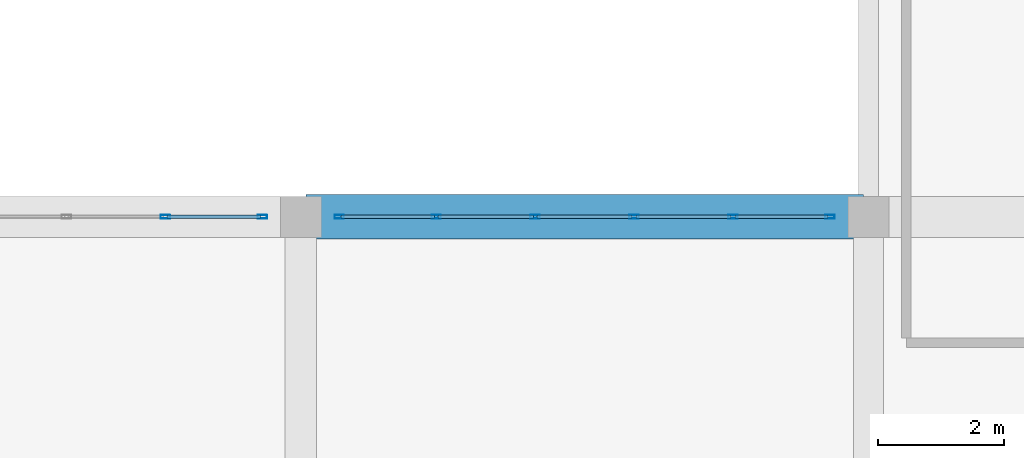
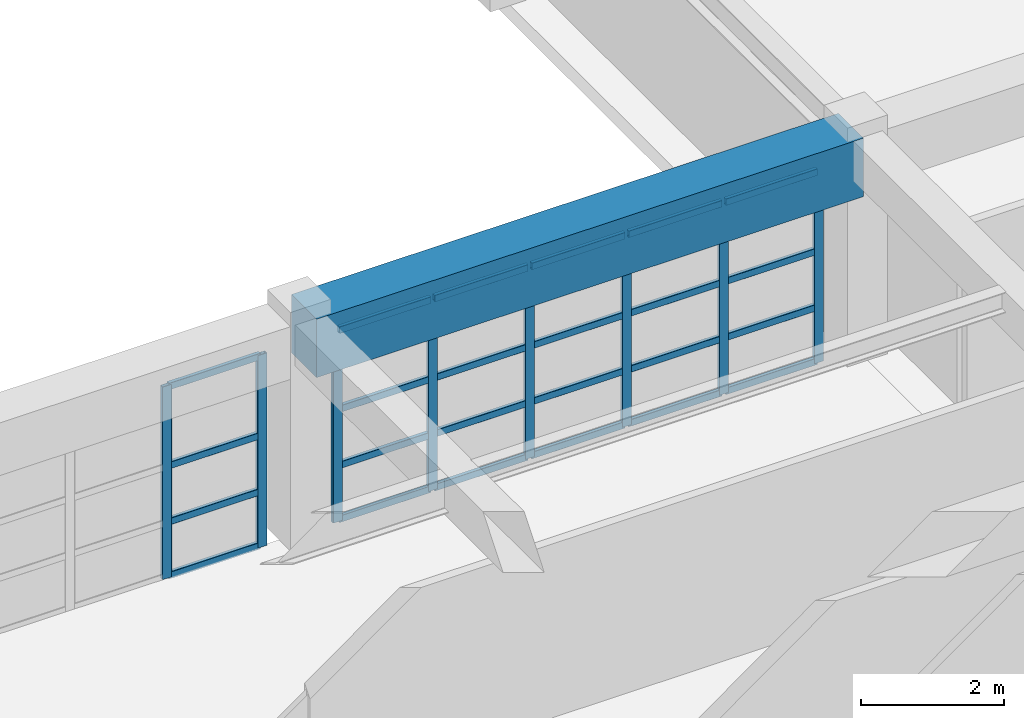
# One storey, part 84 of 130: 32 members, 1 beam, 2 elements without a shape of their own.
"""IFC4 building model written with IfcOpenShell, lengths in metres."""

from ifc_helpers import new_model, si_unit, direction, frame, origin, origin_2d, place, context, subcontext, project, spatial, rectangle, hollow_rectangle, extrude, material, material_profile, profile_set, type_object, element, aggregate, save


model = new_model("IFC4")

# Units and contexts
model_context = context("Model", 3, precision=1e-05, world=origin(), true_north=direction((0.0, 1.0)))
body_context = subcontext(model_context, "Body", "Model", "MODEL_VIEW")
ifc_project = project(units=[si_unit("LENGTHUNIT", "METRE"), si_unit("AREAUNIT", "SQUARE_METRE"), si_unit("VOLUMEUNIT", "CUBIC_METRE"), si_unit("PLANEANGLEUNIT", "RADIAN"), si_unit("MASSUNIT", "GRAM", prefix="KILO")], contexts=[model_context])

# Site, building, storey
site_placement = place(None, origin())
site = spatial("IfcSite", under=ifc_project, at=site_placement, CompositionType="ELEMENT")
building_placement = place(site_placement, origin())
building = spatial("IfcBuilding", under=site, at=building_placement, Name="Miravela Opera House", CompositionType="ELEMENT")
storey_placement = place(building_placement, frame((0.0, 0.0, 9.52001953125)))
storey = spatial("IfcBuildingStorey", under=building, at=storey_placement, Name="L02", CompositionType="ELEMENT", Elevation=9.52001953125)

# Curtain wall, members
ifc_material_1 = material(Name="Anodised architectural bronze aluminium 6063-T6", Category="aluminium")
curtain_wall_type = type_object("IfcCurtainWallType", Name="ARC-CW-05", PredefinedType="NOTDEFINED", material=ifc_material_1)
curtain_wall_1_placement = place(storey_placement, origin())
curtain_wall_1 = element("IfcCurtainWall", 1, at=curtain_wall_1_placement, inside=storey, type_object=curtain_wall_type, Name="Courtyard Arcade Curtain Wall CW-L02-184", PredefinedType="NOTDEFINED")
ifc_material_profile_1 = material_profile(ifc_material_1, hollow_rectangle(XDim=0.06005859375, YDim=0.14990234375, WallThickness=0.00390625, InnerFilletRadius=0.001953125, OuterFilletRadius=0.00390625, at=origin_2d()), Name="CWM-60X150")
ifc_profile_set_1 = profile_set([ifc_material_profile_1])
member_type_1 = type_object("IfcMemberType", Name="ARC-CWM-150", PredefinedType="MULLION", material=ifc_profile_set_1)
member_1_placement = place(storey_placement, frame((132.85205078125, 84.0, 0.0), z_axis=(0.0, 0.0, 1.0), x_axis=(0.0, 1.0, 0.0)))
member_1 = element("IfcMember", 2, at=member_1_placement, type_object=member_type_1, Name="CW-05 mullion 5", PredefinedType="MULLION", context=body_context, shape_type="SweptSolid", body=[
    extrude(hollow_rectangle(XDim=0.06005859375, YDim=0.14990234375, WallThickness=0.00390625, InnerFilletRadius=0.001953125, OuterFilletRadius=0.00390625, at=origin_2d()), origin(), (0.0, 0.0, 1.0), 3.2900390625),
])
member_2_placement = place(storey_placement, frame((134.389892578125, 84.0, 0.0), z_axis=(0.0, 0.0, 1.0), x_axis=(0.0, 1.0, 0.0)))
member_2 = element("IfcMember", 3, at=member_2_placement, type_object=member_type_1, Name="CW-05 mullion 6", PredefinedType="MULLION", context=body_context, shape_type="SweptSolid", body=[
    extrude(hollow_rectangle(XDim=0.06005859375, YDim=0.14990234375, WallThickness=0.00390625, InnerFilletRadius=0.001953125, OuterFilletRadius=0.00390625, at=origin_2d()), origin(), (0.0, 0.0, 1.0), 3.2900390625),
])

curtain_wall_2_placement = place(storey_placement, origin())
curtain_wall_2 = element("IfcCurtainWall", 4, at=curtain_wall_2_placement, inside=storey, type_object=curtain_wall_type, Name="Courtyard Arcade Curtain Wall CW-L02-188", PredefinedType="NOTDEFINED")
member_3_placement = place(storey_placement, frame((135.610107421875, 84.0, 0.0), z_axis=(0.0, 0.0, 1.0), x_axis=(0.0, 1.0, 0.0)))
member_3 = element("IfcMember", 5, at=member_3_placement, type_object=member_type_1, Name="CW-05 mullion 1", PredefinedType="MULLION", context=body_context, shape_type="SweptSolid", body=[
    extrude(hollow_rectangle(XDim=0.06005859375, YDim=0.14990234375, WallThickness=0.00390625, InnerFilletRadius=0.001953125, OuterFilletRadius=0.00390625, at=origin_2d()), origin(), (0.0, 0.0, 1.0), 3.2900390625),
])
member_4_placement = place(storey_placement, frame((137.14794921875, 84.0, 0.0), z_axis=(0.0, 0.0, 1.0), x_axis=(0.0, 1.0, 0.0)))
member_4 = element("IfcMember", 6, at=member_4_placement, type_object=member_type_1, Name="CW-05 mullion 2", PredefinedType="MULLION", context=body_context, shape_type="SweptSolid", body=[
    extrude(hollow_rectangle(XDim=0.06005859375, YDim=0.14990234375, WallThickness=0.00390625, InnerFilletRadius=0.001953125, OuterFilletRadius=0.00390625, at=origin_2d()), origin(), (0.0, 0.0, 1.0), 3.2900390625),
])
member_5_placement = place(storey_placement, frame((138.716064453125, 84.0, 0.0), z_axis=(0.0, 0.0, 1.0), x_axis=(0.0, 1.0, 0.0)))
member_5 = element("IfcMember", 7, at=member_5_placement, type_object=member_type_1, Name="CW-05 mullion 3", PredefinedType="MULLION", context=body_context, shape_type="SweptSolid", body=[
    extrude(hollow_rectangle(XDim=0.06005859375, YDim=0.14990234375, WallThickness=0.00390625, InnerFilletRadius=0.001953125, OuterFilletRadius=0.00390625, at=origin_2d()), origin(), (0.0, 0.0, 1.0), 3.2900390625),
])
member_6_placement = place(storey_placement, frame((140.283935546875, 84.0, 0.0), z_axis=(0.0, 0.0, 1.0), x_axis=(0.0, 1.0, 0.0)))
member_6 = element("IfcMember", 8, at=member_6_placement, type_object=member_type_1, Name="CW-05 mullion 4", PredefinedType="MULLION", context=body_context, shape_type="SweptSolid", body=[
    extrude(hollow_rectangle(XDim=0.06005859375, YDim=0.14990234375, WallThickness=0.00390625, InnerFilletRadius=0.001953125, OuterFilletRadius=0.00390625, at=origin_2d()), origin(), (0.0, 0.0, 1.0), 3.2900390625),
])
member_7_placement = place(storey_placement, frame((141.85205078125, 84.0, 0.0), z_axis=(0.0, 0.0, 1.0), x_axis=(0.0, 1.0, 0.0)))
member_7 = element("IfcMember", 9, at=member_7_placement, type_object=member_type_1, Name="CW-05 mullion 5", PredefinedType="MULLION", context=body_context, shape_type="SweptSolid", body=[
    extrude(hollow_rectangle(XDim=0.06005859375, YDim=0.14990234375, WallThickness=0.00390625, InnerFilletRadius=0.001953125, OuterFilletRadius=0.00390625, at=origin_2d()), origin(), (0.0, 0.0, 1.0), 3.2900390625),
])
member_8_placement = place(storey_placement, frame((143.389892578125, 84.0, 0.0), z_axis=(0.0, 0.0, 1.0), x_axis=(0.0, 1.0, 0.0)))
member_8 = element("IfcMember", 10, at=member_8_placement, type_object=member_type_1, Name="CW-05 mullion 6", PredefinedType="MULLION", context=body_context, shape_type="SweptSolid", body=[
    extrude(hollow_rectangle(XDim=0.06005859375, YDim=0.14990234375, WallThickness=0.00390625, InnerFilletRadius=0.001953125, OuterFilletRadius=0.00390625, at=origin_2d()), origin(), (0.0, 0.0, 1.0), 3.2900390625),
])

# Member
ifc_material_profile_2 = material_profile(ifc_material_1, hollow_rectangle(XDim=0.06005859375, YDim=0.114990234375, WallThickness=0.00390625, InnerFilletRadius=0.001953125, OuterFilletRadius=0.00390625, at=origin_2d()), Name="CWT-60X115")
ifc_profile_set_2 = profile_set([ifc_material_profile_2])
member_type_2 = type_object("IfcMemberType", Name="ARC-CWT-115", PredefinedType="USERDEFINED", material=ifc_profile_set_2)
member_9_placement = place(storey_placement, frame((132.882080078125, 84.0, 0.030029296875), z_axis=(1.0, 0.0, 0.0), x_axis=(0.0, 1.0, 0.0)))
member_9 = element("IfcMember", 11, at=member_9_placement, type_object=member_type_2, Name="CW-05 transom 5.1", ObjectType="TRANSOM", PredefinedType="USERDEFINED", context=body_context, shape_type="SweptSolid", body=[
    extrude(hollow_rectangle(XDim=0.06005859375, YDim=0.114990234375, WallThickness=0.00390625, InnerFilletRadius=0.001953125, OuterFilletRadius=0.00390625, at=origin_2d()), origin(), (0.0, 0.0, 1.0), 1.47802734375),
])

member_10_placement = place(storey_placement, frame((132.882080078125, 84.0, 0.949951171875), z_axis=(1.0, 0.0, 0.0), x_axis=(0.0, 1.0, 0.0)))
member_10 = element("IfcMember", 12, at=member_10_placement, type_object=member_type_2, Name="CW-05 transom 5.2", ObjectType="TRANSOM", PredefinedType="USERDEFINED", context=body_context, shape_type="SweptSolid", body=[
    extrude(hollow_rectangle(XDim=0.06005859375, YDim=0.114990234375, WallThickness=0.00390625, InnerFilletRadius=0.001953125, OuterFilletRadius=0.00390625, at=origin_2d()), origin(), (0.0, 0.0, 1.0), 1.47802734375),
])

member_11_placement = place(storey_placement, frame((132.882080078125, 84.0, 1.908203125), z_axis=(1.0, 0.0, 0.0), x_axis=(0.0, 1.0, 0.0)))
member_11 = element("IfcMember", 13, at=member_11_placement, type_object=member_type_2, Name="CW-05 transom 5.3", ObjectType="TRANSOM", PredefinedType="USERDEFINED", context=body_context, shape_type="SweptSolid", body=[
    extrude(hollow_rectangle(XDim=0.06005859375, YDim=0.114990234375, WallThickness=0.00390625, InnerFilletRadius=0.001953125, OuterFilletRadius=0.00390625, at=origin_2d()), origin(), (0.0, 0.0, 1.0), 1.47802734375),
])

member_12_placement = place(storey_placement, frame((132.882080078125, 84.0, 3.260009765625), z_axis=(1.0, 0.0, 0.0), x_axis=(0.0, 1.0, 0.0)))
member_12 = element("IfcMember", 14, at=member_12_placement, type_object=member_type_2, Name="CW-05 transom 5.4", ObjectType="TRANSOM", PredefinedType="USERDEFINED", context=body_context, shape_type="SweptSolid", body=[
    extrude(hollow_rectangle(XDim=0.06005859375, YDim=0.114990234375, WallThickness=0.00390625, InnerFilletRadius=0.001953125, OuterFilletRadius=0.00390625, at=origin_2d()), origin(), (0.0, 0.0, 1.0), 1.47802734375),
])

aggregate(curtain_wall_1, [member_1, member_2, member_9, member_10, member_11, member_12])

member_13_placement = place(storey_placement, frame((135.639892578125, 84.0, 0.030029296875), z_axis=(1.0, 0.0, 0.0), x_axis=(0.0, 1.0, 0.0)))
member_13 = element("IfcMember", 15, at=member_13_placement, type_object=member_type_2, Name="CW-05 transom 1.1", ObjectType="TRANSOM", PredefinedType="USERDEFINED", context=body_context, shape_type="SweptSolid", body=[
    extrude(hollow_rectangle(XDim=0.06005859375, YDim=0.114990234375, WallThickness=0.00390625, InnerFilletRadius=0.001953125, OuterFilletRadius=0.00390625, at=origin_2d()), origin(), (0.0, 0.0, 1.0), 1.47802734375),
])

member_14_placement = place(storey_placement, frame((135.639892578125, 84.0, 0.949951171875), z_axis=(1.0, 0.0, 0.0), x_axis=(0.0, 1.0, 0.0)))
member_14 = element("IfcMember", 16, at=member_14_placement, type_object=member_type_2, Name="CW-05 transom 1.2", ObjectType="TRANSOM", PredefinedType="USERDEFINED", context=body_context, shape_type="SweptSolid", body=[
    extrude(hollow_rectangle(XDim=0.06005859375, YDim=0.114990234375, WallThickness=0.00390625, InnerFilletRadius=0.001953125, OuterFilletRadius=0.00390625, at=origin_2d()), origin(), (0.0, 0.0, 1.0), 1.47802734375),
])

member_15_placement = place(storey_placement, frame((135.639892578125, 84.0, 1.908203125), z_axis=(1.0, 0.0, 0.0), x_axis=(0.0, 1.0, 0.0)))
member_15 = element("IfcMember", 17, at=member_15_placement, type_object=member_type_2, Name="CW-05 transom 1.3", ObjectType="TRANSOM", PredefinedType="USERDEFINED", context=body_context, shape_type="SweptSolid", body=[
    extrude(hollow_rectangle(XDim=0.06005859375, YDim=0.114990234375, WallThickness=0.00390625, InnerFilletRadius=0.001953125, OuterFilletRadius=0.00390625, at=origin_2d()), origin(), (0.0, 0.0, 1.0), 1.47802734375),
])

member_16_placement = place(storey_placement, frame((135.639892578125, 84.0, 3.260009765625), z_axis=(1.0, 0.0, 0.0), x_axis=(0.0, 1.0, 0.0)))
member_16 = element("IfcMember", 18, at=member_16_placement, type_object=member_type_2, Name="CW-05 transom 1.4", ObjectType="TRANSOM", PredefinedType="USERDEFINED", context=body_context, shape_type="SweptSolid", body=[
    extrude(hollow_rectangle(XDim=0.06005859375, YDim=0.114990234375, WallThickness=0.00390625, InnerFilletRadius=0.001953125, OuterFilletRadius=0.00390625, at=origin_2d()), origin(), (0.0, 0.0, 1.0), 1.47802734375),
])

member_17_placement = place(storey_placement, frame((137.177978515625, 84.0, 0.030029296875), z_axis=(1.0, 0.0, 0.0), x_axis=(0.0, 1.0, 0.0)))
member_17 = element("IfcMember", 19, at=member_17_placement, type_object=member_type_2, Name="CW-05 transom 2.1", ObjectType="TRANSOM", PredefinedType="USERDEFINED", context=body_context, shape_type="SweptSolid", body=[
    extrude(hollow_rectangle(XDim=0.06005859375, YDim=0.114990234375, WallThickness=0.00390625, InnerFilletRadius=0.001953125, OuterFilletRadius=0.00390625, at=origin_2d()), origin(), (0.0, 0.0, 1.0), 1.508056640625),
])

member_18_placement = place(storey_placement, frame((137.177978515625, 84.0, 0.949951171875), z_axis=(1.0, 0.0, 0.0), x_axis=(0.0, 1.0, 0.0)))
member_18 = element("IfcMember", 20, at=member_18_placement, type_object=member_type_2, Name="CW-05 transom 2.2", ObjectType="TRANSOM", PredefinedType="USERDEFINED", context=body_context, shape_type="SweptSolid", body=[
    extrude(hollow_rectangle(XDim=0.06005859375, YDim=0.114990234375, WallThickness=0.00390625, InnerFilletRadius=0.001953125, OuterFilletRadius=0.00390625, at=origin_2d()), origin(), (0.0, 0.0, 1.0), 1.508056640625),
])

member_19_placement = place(storey_placement, frame((137.177978515625, 84.0, 1.908203125), z_axis=(1.0, 0.0, 0.0), x_axis=(0.0, 1.0, 0.0)))
member_19 = element("IfcMember", 21, at=member_19_placement, type_object=member_type_2, Name="CW-05 transom 2.3", ObjectType="TRANSOM", PredefinedType="USERDEFINED", context=body_context, shape_type="SweptSolid", body=[
    extrude(hollow_rectangle(XDim=0.06005859375, YDim=0.114990234375, WallThickness=0.00390625, InnerFilletRadius=0.001953125, OuterFilletRadius=0.00390625, at=origin_2d()), origin(), (0.0, 0.0, 1.0), 1.508056640625),
])

member_20_placement = place(storey_placement, frame((137.177978515625, 84.0, 3.260009765625), z_axis=(1.0, 0.0, 0.0), x_axis=(0.0, 1.0, 0.0)))
member_20 = element("IfcMember", 22, at=member_20_placement, type_object=member_type_2, Name="CW-05 transom 2.4", ObjectType="TRANSOM", PredefinedType="USERDEFINED", context=body_context, shape_type="SweptSolid", body=[
    extrude(hollow_rectangle(XDim=0.06005859375, YDim=0.114990234375, WallThickness=0.00390625, InnerFilletRadius=0.001953125, OuterFilletRadius=0.00390625, at=origin_2d()), origin(), (0.0, 0.0, 1.0), 1.508056640625),
])

member_21_placement = place(storey_placement, frame((138.74609375, 84.0, 0.030029296875), z_axis=(1.0, 0.0, 0.0), x_axis=(0.0, 1.0, 0.0)))
member_21 = element("IfcMember", 23, at=member_21_placement, type_object=member_type_2, Name="CW-05 transom 3.1", ObjectType="TRANSOM", PredefinedType="USERDEFINED", context=body_context, shape_type="SweptSolid", body=[
    extrude(hollow_rectangle(XDim=0.06005859375, YDim=0.114990234375, WallThickness=0.00390625, InnerFilletRadius=0.001953125, OuterFilletRadius=0.00390625, at=origin_2d()), origin(), (0.0, 0.0, 1.0), 1.5078125),
])

member_22_placement = place(storey_placement, frame((138.74609375, 84.0, 0.949951171875), z_axis=(1.0, 0.0, 0.0), x_axis=(0.0, 1.0, 0.0)))
member_22 = element("IfcMember", 24, at=member_22_placement, type_object=member_type_2, Name="CW-05 transom 3.2", ObjectType="TRANSOM", PredefinedType="USERDEFINED", context=body_context, shape_type="SweptSolid", body=[
    extrude(hollow_rectangle(XDim=0.06005859375, YDim=0.114990234375, WallThickness=0.00390625, InnerFilletRadius=0.001953125, OuterFilletRadius=0.00390625, at=origin_2d()), origin(), (0.0, 0.0, 1.0), 1.5078125),
])

member_23_placement = place(storey_placement, frame((138.74609375, 84.0, 1.908203125), z_axis=(1.0, 0.0, 0.0), x_axis=(0.0, 1.0, 0.0)))
member_23 = element("IfcMember", 25, at=member_23_placement, type_object=member_type_2, Name="CW-05 transom 3.3", ObjectType="TRANSOM", PredefinedType="USERDEFINED", context=body_context, shape_type="SweptSolid", body=[
    extrude(hollow_rectangle(XDim=0.06005859375, YDim=0.114990234375, WallThickness=0.00390625, InnerFilletRadius=0.001953125, OuterFilletRadius=0.00390625, at=origin_2d()), origin(), (0.0, 0.0, 1.0), 1.5078125),
])

member_24_placement = place(storey_placement, frame((138.74609375, 84.0, 3.260009765625), z_axis=(1.0, 0.0, 0.0), x_axis=(0.0, 1.0, 0.0)))
member_24 = element("IfcMember", 26, at=member_24_placement, type_object=member_type_2, Name="CW-05 transom 3.4", ObjectType="TRANSOM", PredefinedType="USERDEFINED", context=body_context, shape_type="SweptSolid", body=[
    extrude(hollow_rectangle(XDim=0.06005859375, YDim=0.114990234375, WallThickness=0.00390625, InnerFilletRadius=0.001953125, OuterFilletRadius=0.00390625, at=origin_2d()), origin(), (0.0, 0.0, 1.0), 1.5078125),
])

member_25_placement = place(storey_placement, frame((140.31396484375, 84.0, 0.030029296875), z_axis=(1.0, 0.0, 0.0), x_axis=(0.0, 1.0, 0.0)))
member_25 = element("IfcMember", 27, at=member_25_placement, type_object=member_type_2, Name="CW-05 transom 4.1", ObjectType="TRANSOM", PredefinedType="USERDEFINED", context=body_context, shape_type="SweptSolid", body=[
    extrude(hollow_rectangle(XDim=0.06005859375, YDim=0.114990234375, WallThickness=0.00390625, InnerFilletRadius=0.001953125, OuterFilletRadius=0.00390625, at=origin_2d()), origin(), (0.0, 0.0, 1.0), 1.508056640625),
])

member_26_placement = place(storey_placement, frame((140.31396484375, 84.0, 0.949951171875), z_axis=(1.0, 0.0, 0.0), x_axis=(0.0, 1.0, 0.0)))
member_26 = element("IfcMember", 28, at=member_26_placement, type_object=member_type_2, Name="CW-05 transom 4.2", ObjectType="TRANSOM", PredefinedType="USERDEFINED", context=body_context, shape_type="SweptSolid", body=[
    extrude(hollow_rectangle(XDim=0.06005859375, YDim=0.114990234375, WallThickness=0.00390625, InnerFilletRadius=0.001953125, OuterFilletRadius=0.00390625, at=origin_2d()), origin(), (0.0, 0.0, 1.0), 1.508056640625),
])

member_27_placement = place(storey_placement, frame((140.31396484375, 84.0, 1.908203125), z_axis=(1.0, 0.0, 0.0), x_axis=(0.0, 1.0, 0.0)))
member_27 = element("IfcMember", 29, at=member_27_placement, type_object=member_type_2, Name="CW-05 transom 4.3", ObjectType="TRANSOM", PredefinedType="USERDEFINED", context=body_context, shape_type="SweptSolid", body=[
    extrude(hollow_rectangle(XDim=0.06005859375, YDim=0.114990234375, WallThickness=0.00390625, InnerFilletRadius=0.001953125, OuterFilletRadius=0.00390625, at=origin_2d()), origin(), (0.0, 0.0, 1.0), 1.508056640625),
])

member_28_placement = place(storey_placement, frame((140.31396484375, 84.0, 3.260009765625), z_axis=(1.0, 0.0, 0.0), x_axis=(0.0, 1.0, 0.0)))
member_28 = element("IfcMember", 30, at=member_28_placement, type_object=member_type_2, Name="CW-05 transom 4.4", ObjectType="TRANSOM", PredefinedType="USERDEFINED", context=body_context, shape_type="SweptSolid", body=[
    extrude(hollow_rectangle(XDim=0.06005859375, YDim=0.114990234375, WallThickness=0.00390625, InnerFilletRadius=0.001953125, OuterFilletRadius=0.00390625, at=origin_2d()), origin(), (0.0, 0.0, 1.0), 1.508056640625),
])

member_29_placement = place(storey_placement, frame((141.882080078125, 84.0, 0.030029296875), z_axis=(1.0, 0.0, 0.0), x_axis=(0.0, 1.0, 0.0)))
member_29 = element("IfcMember", 31, at=member_29_placement, type_object=member_type_2, Name="CW-05 transom 5.1", ObjectType="TRANSOM", PredefinedType="USERDEFINED", context=body_context, shape_type="SweptSolid", body=[
    extrude(hollow_rectangle(XDim=0.06005859375, YDim=0.114990234375, WallThickness=0.00390625, InnerFilletRadius=0.001953125, OuterFilletRadius=0.00390625, at=origin_2d()), origin(), (0.0, 0.0, 1.0), 1.47802734375),
])

member_30_placement = place(storey_placement, frame((141.882080078125, 84.0, 0.949951171875), z_axis=(1.0, 0.0, 0.0), x_axis=(0.0, 1.0, 0.0)))
member_30 = element("IfcMember", 32, at=member_30_placement, type_object=member_type_2, Name="CW-05 transom 5.2", ObjectType="TRANSOM", PredefinedType="USERDEFINED", context=body_context, shape_type="SweptSolid", body=[
    extrude(hollow_rectangle(XDim=0.06005859375, YDim=0.114990234375, WallThickness=0.00390625, InnerFilletRadius=0.001953125, OuterFilletRadius=0.00390625, at=origin_2d()), origin(), (0.0, 0.0, 1.0), 1.47802734375),
])

member_31_placement = place(storey_placement, frame((141.882080078125, 84.0, 1.908203125), z_axis=(1.0, 0.0, 0.0), x_axis=(0.0, 1.0, 0.0)))
member_31 = element("IfcMember", 33, at=member_31_placement, type_object=member_type_2, Name="CW-05 transom 5.3", ObjectType="TRANSOM", PredefinedType="USERDEFINED", context=body_context, shape_type="SweptSolid", body=[
    extrude(hollow_rectangle(XDim=0.06005859375, YDim=0.114990234375, WallThickness=0.00390625, InnerFilletRadius=0.001953125, OuterFilletRadius=0.00390625, at=origin_2d()), origin(), (0.0, 0.0, 1.0), 1.47802734375),
])

member_32_placement = place(storey_placement, frame((141.882080078125, 84.0, 3.260009765625), z_axis=(1.0, 0.0, 0.0), x_axis=(0.0, 1.0, 0.0)))
member_32 = element("IfcMember", 34, at=member_32_placement, type_object=member_type_2, Name="CW-05 transom 5.4", ObjectType="TRANSOM", PredefinedType="USERDEFINED", context=body_context, shape_type="SweptSolid", body=[
    extrude(hollow_rectangle(XDim=0.06005859375, YDim=0.114990234375, WallThickness=0.00390625, InnerFilletRadius=0.001953125, OuterFilletRadius=0.00390625, at=origin_2d()), origin(), (0.0, 0.0, 1.0), 1.47802734375),
])

aggregate(curtain_wall_2, [member_3, member_4, member_5, member_6, member_7, member_8, member_13, member_14, member_15, member_16, member_17, member_18, member_19, member_20, member_21, member_22, member_23, member_24, member_25, member_26, member_27, member_28, member_29, member_30, member_31, member_32])

# Beam
ifc_material_2 = material(Name="Concrete C40/50", Category="concrete")
ifc_material_profile_3 = material_profile(ifc_material_2, rectangle(XDim=0.699951171875, YDim=1.0, at=origin_2d()), Name="RC-BM-700X1000")
ifc_profile_set_3 = profile_set([ifc_material_profile_3])
beam_type = type_object("IfcBeamType", Name="STR-BM-RC700X1000", PredefinedType="BEAM", material=ifc_profile_set_3)
beam_placement = place(storey_placement, frame((135.080078125, 84.0, 3.340087890625), z_axis=(1.0, 0.0, 0.0), x_axis=(0.0, 1.0, 0.0)))
element("IfcBeam", 35, at=beam_placement, inside=storey, type_object=beam_type, Name="Floor Girder L02 16-17/J", PredefinedType="BEAM", context=body_context, shape_type="SweptSolid", body=[
    extrude(rectangle(XDim=0.699951171875, YDim=1.0, at=origin_2d()), origin(), (0.0, 0.0, 1.0), 8.83984375),
])

save(model, "model.ifc")
